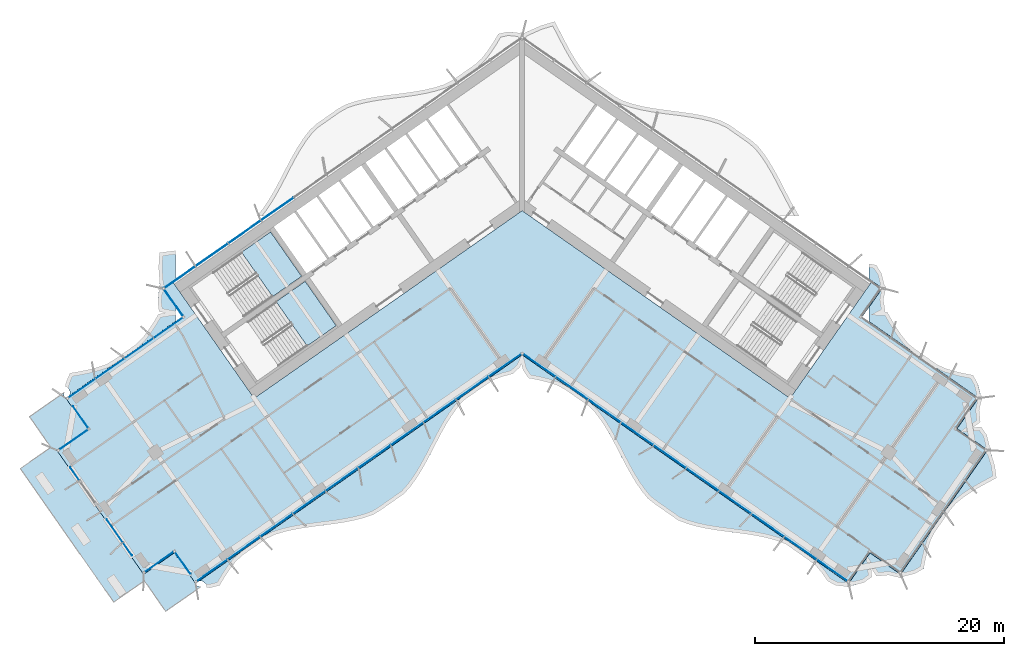
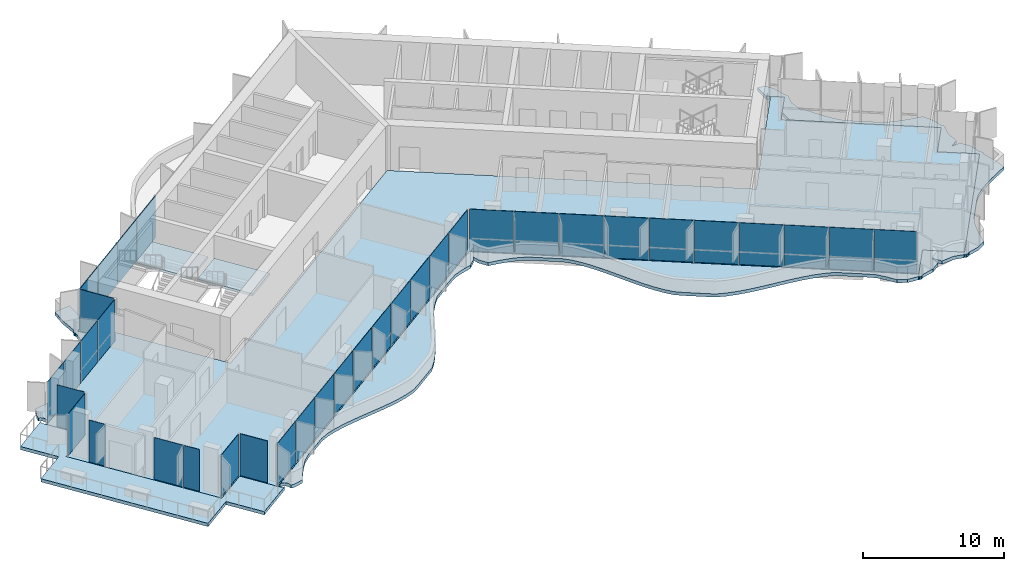
# One storey, part 12 of 24: 36 plates, 6 slabs, 5 elements without a shape of their own.
"""IFC4 building model written with IfcOpenShell, lengths in metres."""

from ifc_helpers import new_model, si_unit, direction, frame, origin, origin_2d, place, context, subcontext, project, spatial, polyline, rectangle, outline, extrude, material, layer, layer_set, type_object, element, aggregate, save


model = new_model("IFC4")

# Units and contexts
model_context = context("Model", 3, precision=1e-05, world=origin(), true_north=direction((0.0, 1.0)))
body_context = subcontext(model_context, "Body", "Model", "MODEL_VIEW")
ifc_project = project(units=[si_unit("LENGTHUNIT", "METRE"), si_unit("AREAUNIT", "SQUARE_METRE"), si_unit("VOLUMEUNIT", "CUBIC_METRE"), si_unit("PLANEANGLEUNIT", "RADIAN"), si_unit("MASSUNIT", "GRAM", prefix="KILO")], contexts=[model_context])

# Site, building, storey
site_placement = place(None, origin())
site = spatial("IfcSite", under=ifc_project, at=site_placement, CompositionType="ELEMENT")
building_placement = place(site_placement, origin())
building = spatial("IfcBuilding", under=site, at=building_placement, Name="Tel Ilan Convention Tower", CompositionType="ELEMENT")
storey_placement = place(building_placement, frame((0.0, 0.0, 167.10009765625)))
storey = spatial("IfcBuildingStorey", under=building, at=storey_placement, Name="L38", CompositionType="ELEMENT", Elevation=167.10009765625)

# Curtain wall, plates
ifc_material_1 = material(Name="Aluminium, bronze anodised", Category="aluminium")
curtain_wall_type_1 = type_object("IfcCurtainWallType", Name="CW4 STICK CURTAIN WALL, OFFICE TINTED GLASS", PredefinedType="NOTDEFINED", material=ifc_material_1)
curtain_wall_1_placement = place(storey_placement, origin())
curtain_wall_1 = element("IfcCurtainWall", 1, at=curtain_wall_1_placement, inside=storey, type_object=curtain_wall_type_1, Name="Curtain wall CW4-30.02", PredefinedType="NOTDEFINED")
ifc_material_2 = material(Name="Glass, bronze tinted, two-ply", Category="glass")
ifc_layer_1 = layer(ifc_material_2, 0.028076171875)
ifc_layer_set_1 = layer_set([ifc_layer_1], Name="CW GLASS PANEL 28")
plate_type_1 = type_object("IfcPlateType", Name="CW GLASS PANEL 28", PredefinedType="CURTAIN_PANEL", material=ifc_layer_set_1)
plate_1_placement = place(storey_placement, frame((-28.450927734375, -10.6435546875, -0.000244140625), z_axis=(0.0, 0.0, 1.0), x_axis=(-0.819152044289, -0.573576436351, 0.0)))
plate_1 = element("IfcPlate", 2, at=plate_1_placement, type_object=plate_type_1, Name="Glass panel", PredefinedType="CURTAIN_PANEL", context=body_context, shape_type="SweptSolid", body=[
    extrude(rectangle(XDim=2.819091796875, YDim=0.028076171875, at=origin_2d()), origin(), (0.0, 0.0, 1.0), 3.6201171875),
])
plate_2_placement = place(storey_placement, frame((-30.79736328125, -12.28662109375, -0.000244140625), z_axis=(0.0, 0.0, 1.0), x_axis=(-0.819152044289, -0.573576436351, 0.0)))
plate_2 = element("IfcPlate", 3, at=plate_2_placement, type_object=plate_type_1, Name="Glass panel", PredefinedType="CURTAIN_PANEL", context=body_context, shape_type="SweptSolid", body=[
    extrude(rectangle(XDim=2.7900390625, YDim=0.028076171875, at=origin_2d()), origin(), (0.0, 0.0, 1.0), 3.6201171875),
])
plate_3_placement = place(storey_placement, frame((-33.1318359375, -13.92138671875, -0.000244140625), z_axis=(0.0, 0.0, 1.0), x_axis=(-0.819152044289, -0.573576436351, 0.0)))
plate_3 = element("IfcPlate", 4, at=plate_3_placement, type_object=plate_type_1, Name="Glass panel", PredefinedType="CURTAIN_PANEL", context=body_context, shape_type="SweptSolid", body=[
    extrude(rectangle(XDim=2.7900390625, YDim=0.028076171875, at=origin_2d()), origin(), (0.0, 0.0, 1.0), 3.6201171875),
])
plate_4_placement = place(storey_placement, frame((-35.427978515625, -15.529052734375, -0.000244140625), z_axis=(0.0, 0.0, 1.0), x_axis=(-0.819152044289, -0.573576436351, 0.0)))
plate_4 = element("IfcPlate", 5, at=plate_4_placement, type_object=plate_type_1, Name="Glass panel", PredefinedType="CURTAIN_PANEL", context=body_context, shape_type="SweptSolid", body=[
    extrude(rectangle(XDim=2.696044921875, YDim=0.028076171875, at=origin_2d()), origin(), (0.0, 0.0, 1.0), 3.6201171875),
])
plate_5_placement = place(storey_placement, frame((-35.497802734375, -17.8212890625, -0.000244140625), z_axis=(0.0, 0.0, 1.0), x_axis=(0.573576436351, -0.819152044289, 0.0)))
plate_5 = element("IfcPlate", 6, at=plate_5_placement, type_object=plate_type_1, Name="Glass panel", PredefinedType="CURTAIN_PANEL", context=body_context, shape_type="SweptSolid", body=[
    extrude(rectangle(XDim=2.123046875, YDim=0.028076171875, at=origin_2d()), origin(), (0.0, 0.0, 1.0), 3.6201171875),
])
plate_6_placement = place(storey_placement, frame((-36.09130859375, -19.656005859375, -0.000244140625), z_axis=(0.0, 0.0, 1.0), x_axis=(-0.819152044289, -0.573576436351, 0.0)))
plate_6 = element("IfcPlate", 7, at=plate_6_placement, type_object=plate_type_1, Name="Glass panel", PredefinedType="CURTAIN_PANEL", context=body_context, shape_type="SweptSolid", body=[
    extrude(rectangle(XDim=2.875, YDim=0.028076171875, at=origin_2d()), origin(), (0.0, 0.0, 1.0), 3.6201171875),
])
plate_7_placement = place(storey_placement, frame((-35.970458984375, -22.376708984375, -0.000244140625), z_axis=(0.0, 0.0, 1.0), x_axis=(0.573576436351, -0.819152044289, 0.0)))
plate_7 = element("IfcPlate", 8, at=plate_7_placement, type_object=plate_type_1, Name="Glass panel", PredefinedType="CURTAIN_PANEL", context=body_context, shape_type="SweptSolid", body=[
    extrude(rectangle(XDim=1.243896484375, YDim=0.028076171875, at=origin_2d()), origin(), (0.0, 0.0, 1.0), 3.6201171875),
])
aggregate(curtain_wall_1, [plate_1, plate_2, plate_3, plate_4, plate_5, plate_6, plate_7])

curtain_wall_2_placement = place(storey_placement, origin())
curtain_wall_2 = element("IfcCurtainWall", 9, at=curtain_wall_2_placement, inside=storey, type_object=curtain_wall_type_1, Name="Curtain wall CW4-30.04", PredefinedType="NOTDEFINED")
plate_8_placement = place(storey_placement, frame((-32.758544921875, -26.9638671875, -0.000244140625), z_axis=(0.0, 0.0, 1.0), x_axis=(0.573576436351, -0.819152044289, 0.0)))
plate_8 = element("IfcPlate", 10, at=plate_8_placement, type_object=plate_type_1, Name="Glass panel", PredefinedType="CURTAIN_PANEL", context=body_context, shape_type="SweptSolid", body=[
    extrude(rectangle(XDim=2.243896484375, YDim=0.028076171875, at=origin_2d()), origin(), (0.0, 0.0, 1.0), 3.6201171875),
])
plate_9_placement = place(storey_placement, frame((-31.7236328125, -28.441650390625, -0.000244140625), z_axis=(0.0, 0.0, 1.0), x_axis=(0.573576436351, -0.819152044289, 0.0)))
plate_9 = element("IfcPlate", 11, at=plate_9_placement, type_object=plate_type_1, Name="Glass panel", PredefinedType="CURTAIN_PANEL", context=body_context, shape_type="SweptSolid", body=[
    extrude(rectangle(XDim=1.243896484375, YDim=0.028076171875, at=origin_2d()), origin(), (0.0, 0.0, 1.0), 3.6201171875),
])
plate_10_placement = place(storey_placement, frame((-29.20849609375, -29.48583984375, -0.000244140625), z_axis=(0.0, 0.0, 1.0), x_axis=(0.819152044289, 0.573576436351, 0.0)))
plate_10 = element("IfcPlate", 12, at=plate_10_placement, type_object=plate_type_1, Name="Glass panel", PredefinedType="CURTAIN_PANEL", context=body_context, shape_type="SweptSolid", body=[
    extrude(rectangle(XDim=2.875, YDim=0.028076171875, at=origin_2d()), origin(), (0.0, 0.0, 1.0), 3.6201171875),
])
plate_11_placement = place(storey_placement, frame((-27.281494140625, -29.5556640625, -0.000244140625), z_axis=(0.0, 0.0, 1.0), x_axis=(0.573576436351, -0.819152044289, 0.0)))
plate_11 = element("IfcPlate", 13, at=plate_11_placement, type_object=plate_type_1, Name="Glass panel", PredefinedType="CURTAIN_PANEL", context=body_context, shape_type="SweptSolid", body=[
    extrude(rectangle(XDim=2.123046875, YDim=0.028076171875, at=origin_2d()), origin(), (0.0, 0.0, 1.0), 3.6201171875),
])
plate_12_placement = place(storey_placement, frame((-24.958251953125, -30.172119140625, -0.000244140625), z_axis=(0.0, 0.0, 1.0), x_axis=(0.819152044289, 0.573576436351, 0.0)))
plate_12 = element("IfcPlate", 14, at=plate_12_placement, type_object=plate_type_1, Name="Glass panel", PredefinedType="CURTAIN_PANEL", context=body_context, shape_type="SweptSolid", body=[
    extrude(rectangle(XDim=3.05078125, YDim=0.028076171875, at=origin_2d()), origin(), (0.0, 0.0, 1.0), 3.6201171875),
])
plate_13_placement = place(storey_placement, frame((-22.37158203125, -28.36083984375, -0.000244140625), z_axis=(0.0, 0.0, 1.0), x_axis=(0.819152044289, 0.573576436351, 0.0)))
plate_13 = element("IfcPlate", 15, at=plate_13_placement, type_object=plate_type_1, Name="Glass panel", PredefinedType="CURTAIN_PANEL", context=body_context, shape_type="SweptSolid", body=[
    extrude(rectangle(XDim=3.144775390625, YDim=0.028076171875, at=origin_2d()), origin(), (0.0, 0.0, 1.0), 3.6201171875),
])
plate_14_placement = place(storey_placement, frame((-19.746337890625, -26.522705078125, -0.000244140625), z_axis=(0.0, 0.0, 1.0), x_axis=(0.819152044289, 0.573576436351, 0.0)))
plate_14 = element("IfcPlate", 16, at=plate_14_placement, type_object=plate_type_1, Name="Glass panel", PredefinedType="CURTAIN_PANEL", context=body_context, shape_type="SweptSolid", body=[
    extrude(rectangle(XDim=3.144775390625, YDim=0.028076171875, at=origin_2d()), origin(), (0.0, 0.0, 1.0), 3.6201171875),
])
plate_15_placement = place(storey_placement, frame((-17.12109375, -24.684326171875, -0.000244140625), z_axis=(0.0, 0.0, 1.0), x_axis=(0.819152044289, 0.573576436351, 0.0)))
plate_15 = element("IfcPlate", 17, at=plate_15_placement, type_object=plate_type_1, Name="Glass panel", PredefinedType="CURTAIN_PANEL", context=body_context, shape_type="SweptSolid", body=[
    extrude(rectangle(XDim=3.144775390625, YDim=0.028076171875, at=origin_2d()), origin(), (0.0, 0.0, 1.0), 3.6201171875),
])
plate_16_placement = place(storey_placement, frame((-14.49609375, -22.84619140625, -0.000244140625), z_axis=(0.0, 0.0, 1.0), x_axis=(0.819152044289, 0.573576436351, 0.0)))
plate_16 = element("IfcPlate", 18, at=plate_16_placement, type_object=plate_type_1, Name="Glass panel", PredefinedType="CURTAIN_PANEL", context=body_context, shape_type="SweptSolid", body=[
    extrude(rectangle(XDim=3.144775390625, YDim=0.028076171875, at=origin_2d()), origin(), (0.0, 0.0, 1.0), 3.6201171875),
])
plate_17_placement = place(storey_placement, frame((-11.870849609375, -21.008056640625, -0.000244140625), z_axis=(0.0, 0.0, 1.0), x_axis=(0.819152044289, 0.573576436351, 0.0)))
plate_17 = element("IfcPlate", 19, at=plate_17_placement, type_object=plate_type_1, Name="Glass panel", PredefinedType="CURTAIN_PANEL", context=body_context, shape_type="SweptSolid", body=[
    extrude(rectangle(XDim=3.144775390625, YDim=0.028076171875, at=origin_2d()), origin(), (0.0, 0.0, 1.0), 3.6201171875),
])
plate_18_placement = place(storey_placement, frame((-9.24560546875, -19.169921875, -0.000244140625), z_axis=(0.0, 0.0, 1.0), x_axis=(0.819152044289, 0.573576436351, 0.0)))
plate_18 = element("IfcPlate", 20, at=plate_18_placement, type_object=plate_type_1, Name="Glass panel", PredefinedType="CURTAIN_PANEL", context=body_context, shape_type="SweptSolid", body=[
    extrude(rectangle(XDim=3.144775390625, YDim=0.028076171875, at=origin_2d()), origin(), (0.0, 0.0, 1.0), 3.6201171875),
])
plate_19_placement = place(storey_placement, frame((-6.620361328125, -17.331787109375, -0.000244140625), z_axis=(0.0, 0.0, 1.0), x_axis=(0.819152044289, 0.573576436351, 0.0)))
plate_19 = element("IfcPlate", 21, at=plate_19_placement, type_object=plate_type_1, Name="Glass panel", PredefinedType="CURTAIN_PANEL", context=body_context, shape_type="SweptSolid", body=[
    extrude(rectangle(XDim=3.144775390625, YDim=0.028076171875, at=origin_2d()), origin(), (0.0, 0.0, 1.0), 3.6201171875),
])
plate_20_placement = place(storey_placement, frame((-3.9951171875, -15.493408203125, -0.000244140625), z_axis=(0.0, 0.0, 1.0), x_axis=(0.819152044289, 0.573576436351, 0.0)))
plate_20 = element("IfcPlate", 22, at=plate_20_placement, type_object=plate_type_1, Name="Glass panel", PredefinedType="CURTAIN_PANEL", context=body_context, shape_type="SweptSolid", body=[
    extrude(rectangle(XDim=3.144775390625, YDim=0.028076171875, at=origin_2d()), origin(), (0.0, 0.0, 1.0), 3.6201171875),
])
plate_21_placement = place(storey_placement, frame((-1.370361328125, -13.655517578125, -0.000244140625), z_axis=(0.0, 0.0, 1.0), x_axis=(0.819152044289, 0.573576436351, 0.0)))
plate_21 = element("IfcPlate", 23, at=plate_21_placement, type_object=plate_type_1, Name="Glass panel", PredefinedType="CURTAIN_PANEL", context=body_context, shape_type="SweptSolid", body=[
    extrude(rectangle(XDim=3.143798828125, YDim=0.028076171875, at=origin_2d()), origin(), (0.0, 0.0, 1.0), 3.6201171875),
])
plate_22_placement = place(storey_placement, frame((1.3818359375, -13.66357421875, -0.000244140625), z_axis=(0.0, 0.0, 1.0), x_axis=(0.819152044289, -0.573576436351, 0.0)))
plate_22 = element("IfcPlate", 24, at=plate_22_placement, type_object=plate_type_1, Name="Glass panel", PredefinedType="CURTAIN_PANEL", context=body_context, shape_type="SweptSolid", body=[
    extrude(rectangle(XDim=3.11572265625, YDim=0.028076171875, at=origin_2d()), origin(), (0.0, 0.0, 1.0), 3.6201171875),
])
plate_23_placement = place(storey_placement, frame((3.9951171875, -15.493408203125, -0.000244140625), z_axis=(0.0, 0.0, 1.0), x_axis=(0.819152044289, -0.573576436351, 0.0)))
plate_23 = element("IfcPlate", 25, at=plate_23_placement, type_object=plate_type_1, Name="Glass panel", PredefinedType="CURTAIN_PANEL", context=body_context, shape_type="SweptSolid", body=[
    extrude(rectangle(XDim=3.144775390625, YDim=0.028076171875, at=origin_2d()), origin(), (0.0, 0.0, 1.0), 3.6201171875),
])
plate_24_placement = place(storey_placement, frame((6.620361328125, -17.331787109375, -0.000244140625), z_axis=(0.0, 0.0, 1.0), x_axis=(0.819152044289, -0.573576436351, 0.0)))
plate_24 = element("IfcPlate", 26, at=plate_24_placement, type_object=plate_type_1, Name="Glass panel", PredefinedType="CURTAIN_PANEL", context=body_context, shape_type="SweptSolid", body=[
    extrude(rectangle(XDim=3.144775390625, YDim=0.028076171875, at=origin_2d()), origin(), (0.0, 0.0, 1.0), 3.6201171875),
])
plate_25_placement = place(storey_placement, frame((9.24560546875, -19.169921875, -0.000244140625), z_axis=(0.0, 0.0, 1.0), x_axis=(0.819152044289, -0.573576436351, 0.0)))
plate_25 = element("IfcPlate", 27, at=plate_25_placement, type_object=plate_type_1, Name="Glass panel", PredefinedType="CURTAIN_PANEL", context=body_context, shape_type="SweptSolid", body=[
    extrude(rectangle(XDim=3.144775390625, YDim=0.028076171875, at=origin_2d()), origin(), (0.0, 0.0, 1.0), 3.6201171875),
])
plate_26_placement = place(storey_placement, frame((11.870849609375, -21.008056640625, -0.000244140625), z_axis=(0.0, 0.0, 1.0), x_axis=(0.819152044289, -0.573576436351, 0.0)))
plate_26 = element("IfcPlate", 28, at=plate_26_placement, type_object=plate_type_1, Name="Glass panel", PredefinedType="CURTAIN_PANEL", context=body_context, shape_type="SweptSolid", body=[
    extrude(rectangle(XDim=3.144775390625, YDim=0.028076171875, at=origin_2d()), origin(), (0.0, 0.0, 1.0), 3.6201171875),
])
plate_27_placement = place(storey_placement, frame((14.49609375, -22.84619140625, -0.000244140625), z_axis=(0.0, 0.0, 1.0), x_axis=(0.819152044289, -0.573576436351, 0.0)))
plate_27 = element("IfcPlate", 29, at=plate_27_placement, type_object=plate_type_1, Name="Glass panel", PredefinedType="CURTAIN_PANEL", context=body_context, shape_type="SweptSolid", body=[
    extrude(rectangle(XDim=3.144775390625, YDim=0.028076171875, at=origin_2d()), origin(), (0.0, 0.0, 1.0), 3.6201171875),
])
plate_28_placement = place(storey_placement, frame((17.12109375, -24.684326171875, -0.000244140625), z_axis=(0.0, 0.0, 1.0), x_axis=(0.819152044289, -0.573576436351, 0.0)))
plate_28 = element("IfcPlate", 30, at=plate_28_placement, type_object=plate_type_1, Name="Glass panel", PredefinedType="CURTAIN_PANEL", context=body_context, shape_type="SweptSolid", body=[
    extrude(rectangle(XDim=3.144775390625, YDim=0.028076171875, at=origin_2d()), origin(), (0.0, 0.0, 1.0), 3.6201171875),
])
plate_29_placement = place(storey_placement, frame((19.746337890625, -26.522705078125, -0.000244140625), z_axis=(0.0, 0.0, 1.0), x_axis=(0.819152044289, -0.573576436351, 0.0)))
plate_29 = element("IfcPlate", 31, at=plate_29_placement, type_object=plate_type_1, Name="Glass panel", PredefinedType="CURTAIN_PANEL", context=body_context, shape_type="SweptSolid", body=[
    extrude(rectangle(XDim=3.144775390625, YDim=0.028076171875, at=origin_2d()), origin(), (0.0, 0.0, 1.0), 3.6201171875),
])
plate_30_placement = place(storey_placement, frame((22.37158203125, -28.36083984375, -0.000244140625), z_axis=(0.0, 0.0, 1.0), x_axis=(0.819152044289, -0.573576436351, 0.0)))
plate_30 = element("IfcPlate", 32, at=plate_30_placement, type_object=plate_type_1, Name="Glass panel", PredefinedType="CURTAIN_PANEL", context=body_context, shape_type="SweptSolid", body=[
    extrude(rectangle(XDim=3.144775390625, YDim=0.028076171875, at=origin_2d()), origin(), (0.0, 0.0, 1.0), 3.6201171875),
])
plate_31_placement = place(storey_placement, frame((24.958251953125, -30.172119140625, -0.000244140625), z_axis=(0.0, 0.0, 1.0), x_axis=(0.819152044289, -0.573576436351, 0.0)))
plate_31 = element("IfcPlate", 33, at=plate_31_placement, type_object=plate_type_1, Name="Glass panel", PredefinedType="CURTAIN_PANEL", context=body_context, shape_type="SweptSolid", body=[
    extrude(rectangle(XDim=3.05078125, YDim=0.028076171875, at=origin_2d()), origin(), (0.0, 0.0, 1.0), 3.6201171875),
])
aggregate(curtain_wall_2, [plate_8, plate_9, plate_10, plate_11, plate_12, plate_13, plate_14, plate_15, plate_16, plate_17, plate_18, plate_19, plate_20, plate_21, plate_22, plate_23, plate_24, plate_25, plate_26, plate_27, plate_28, plate_29, plate_30, plate_31])

ifc_material_3 = material(Name="Aluminium, bronze anodised", Category="aluminium")
curtain_wall_type_2 = type_object("IfcCurtainWallType", Name="CW2 STICK CURTAIN WALL, SPANDREL PANELS", PredefinedType="NOTDEFINED", material=ifc_material_3)
curtain_wall_3_placement = place(storey_placement, origin())
curtain_wall_3 = element("IfcCurtainWall", 34, at=curtain_wall_3_placement, inside=storey, type_object=curtain_wall_type_2, Name="Curtain wall CW2-30.01", PredefinedType="NOTDEFINED")
ifc_material_4 = material(Name="Aluminium composite panel, bronze anodised", Category="aluminium")
ifc_layer_2 = layer(ifc_material_4, 0.06005859375)
ifc_layer_set_2 = layer_set([ifc_layer_2], Name="CW SPANDREL PANEL 60")
plate_type_2 = type_object("IfcPlateType", Name="CW SPANDREL PANEL 60", PredefinedType="CURTAIN_PANEL", material=ifc_layer_set_2)
plate_32_placement = place(storey_placement, frame((-19.687255859375, -1.089111328125, -0.000244140625), z_axis=(0.0, 0.0, 1.0), x_axis=(-0.819152044289, -0.573576436351, 0.0)))
plate_32 = element("IfcPlate", 35, at=plate_32_placement, type_object=plate_type_2, Name="Spandrel panel", PredefinedType="CURTAIN_PANEL", context=body_context, shape_type="SweptSolid", body=[
    extrude(rectangle(XDim=3.15380859375, YDim=0.06005859375, at=origin_2d()), origin(), (0.0, 0.0, 1.0), 3.6201171875),
])
plate_33_placement = place(storey_placement, frame((-22.31982421875, -2.9326171875, -0.000244140625), z_axis=(0.0, 0.0, 1.0), x_axis=(-0.819152044289, -0.573576436351, 0.0)))
plate_33 = element("IfcPlate", 36, at=plate_33_placement, type_object=plate_type_2, Name="Spandrel panel", PredefinedType="CURTAIN_PANEL", context=body_context, shape_type="SweptSolid", body=[
    extrude(rectangle(XDim=3.15380859375, YDim=0.06005859375, at=origin_2d()), origin(), (0.0, 0.0, 1.0), 3.6201171875),
])
plate_34_placement = place(storey_placement, frame((-24.95263671875, -4.77587890625, -0.000244140625), z_axis=(0.0, 0.0, 1.0), x_axis=(-0.819152044289, -0.573576436351, 0.0)))
plate_34 = element("IfcPlate", 37, at=plate_34_placement, type_object=plate_type_2, Name="Spandrel panel", PredefinedType="CURTAIN_PANEL", context=body_context, shape_type="SweptSolid", body=[
    extrude(rectangle(XDim=3.15380859375, YDim=0.06005859375, at=origin_2d()), origin(), (0.0, 0.0, 1.0), 3.6201171875),
])
plate_35_placement = place(storey_placement, frame((-27.5400390625, -6.587646484375, -0.000244140625), z_axis=(0.0, 0.0, 1.0), x_axis=(-0.819152044289, -0.573576436351, 0.0)))
plate_35 = element("IfcPlate", 38, at=plate_35_placement, type_object=plate_type_2, Name="Spandrel panel", PredefinedType="CURTAIN_PANEL", context=body_context, shape_type="SweptSolid", body=[
    extrude(rectangle(XDim=3.0439453125, YDim=0.06005859375, at=origin_2d()), origin(), (0.0, 0.0, 1.0), 3.6201171875),
])
plate_36_placement = place(storey_placement, frame((-28.033935546875, -8.60546875, -0.000244140625), z_axis=(0.0, 0.0, 1.0), x_axis=(0.573576436351, -0.819152044289, 0.0)))
plate_36 = element("IfcPlate", 39, at=plate_36_placement, type_object=plate_type_2, Name="Spandrel panel", PredefinedType="CURTAIN_PANEL", context=body_context, shape_type="SweptSolid", body=[
    extrude(rectangle(XDim=2.658935546875, YDim=0.06005859375, at=origin_2d()), origin(), (0.0, 0.0, 1.0), 3.6201171875),
])
aggregate(curtain_wall_3, [plate_32, plate_33, plate_34, plate_35, plate_36])

# Stair, slab
ifc_material_5 = material(Name="Concrete C40/50", Category="concrete")
stair_type = type_object("IfcStairType", Name="Pressurised Exit Stair 22 risers 177 mm", PredefinedType="HALF_TURN_STAIR", material=ifc_material_5)
stair_1_placement = place(storey_placement, origin())
stair_1 = element("IfcStair", 40, at=stair_1_placement, inside=storey, type_object=stair_type, Name="L38 Pressurised Stair S1", PredefinedType="HALF_TURN_STAIR")
ifc_material_6 = material(Name="Concrete C40/50", Category="concrete")
ifc_layer_3 = layer(ifc_material_6, 0.199951171875)
ifc_layer_set_3 = layer_set([ifc_layer_3], Name="Concrete Stair Landing 200 mm C40/50")
slab_type_1 = type_object("IfcSlabType", Name="Concrete Stair Landing 200 mm", PredefinedType="LANDING", material=ifc_layer_set_3)
slab_1_placement = place(storey_placement, frame((0.0, 0.0, 1.75)))
slab_1 = element("IfcSlab", 41, at=slab_1_placement, type_object=slab_type_1, Name="S1 landing 1", PredefinedType="LANDING", context=body_context, shape_type="SweptSolid", body=[
    extrude(outline(polyline([(-20.066650390625, -8.130126953125), (-17.7314453125, -6.494873046875), (-20.226318359375, -2.931640625), (-22.561767578125, -4.566650390625), (-20.066650390625, -8.130126953125)])), origin(), (0.0, 0.0, 1.0), 0.199951171875),
])
aggregate(stair_1, [slab_1])

stair_2_placement = place(storey_placement, origin())
stair_2 = element("IfcStair", 42, at=stair_2_placement, inside=storey, type_object=stair_type, Name="L38 Pressurised Stair S2", PredefinedType="HALF_TURN_STAIR")
slab_2_placement = place(storey_placement, frame((0.0, 0.0, 1.75)))
slab_2 = element("IfcSlab", 43, at=slab_2_placement, type_object=slab_type_1, Name="S2 landing 1", PredefinedType="LANDING", context=body_context, shape_type="SweptSolid", body=[
    extrude(outline(polyline([(-17.28466796875, -12.10302734375), (-14.949462890625, -10.4677734375), (-17.444580078125, -6.904541015625), (-19.77978515625, -8.53955078125), (-17.28466796875, -12.10302734375)])), origin(), (0.0, 0.0, 1.0), 0.199951171875),
])
aggregate(stair_2, [slab_2])

# Slabs
ifc_material_7 = material(Name="Concrete C40/50", Category="concrete")
ifc_layer_4 = layer(ifc_material_7, 0.280029296875)
ifc_layer_set_4 = layer_set([ifc_layer_4], Name="Edge Ledge Slab 280 mm C40/50")
slab_type_2 = type_object("IfcSlabType", Name="Edge Ledge Slab 280 mm C40/50", PredefinedType="FLOOR", material=ifc_layer_set_4)
slab_3_placement = place(storey_placement, frame((0.0, 0.0, -0.280029296875)))
element("IfcSlab", 44, at=slab_3_placement, inside=storey, type_object=slab_type_2, Name="L38 edge ledge 1", PredefinedType="FLOOR", context=body_context, shape_type="SweptSolid", body=[
    extrude(outline(polyline([(26.251953125, -31.199951171875), (27.972900390625, -28.74267578125), (30.43017578125, -30.46337890625), (37.427978515625, -20.469482421875), (34.970458984375, -18.748779296875), (36.691162109375, -16.29150390625), (27.875, -10.1181640625), (27.875, -9.007080078125), (28.958740234375, -7.458984375), (27.875, -6.7001953125), (27.875, -5.485595703125), (28.465576171875, -5.595458984375), (28.894287109375, -6.267333984375), (29.130859375, -7.21337890625), (29.127685546875, -7.218017578125), (29.1708984375, -7.246826171875), (29.236083984375, -7.34423828125), (29.2587890625, -7.458984375), (29.236083984375, -7.57373046875), (29.199951171875, -7.6279296875), (29.20458984375, -7.631103515625), (29.044921875, -8.373779296875), (29.194091796875, -9.332763671875), (29.132080078125, -9.36474609375), (29.356201171875, -9.3759765625), (29.74560546875, -10.06201171875), (30.151123046875, -10.72509765625), (30.5849609375, -11.347900390625), (31.052978515625, -11.92138671875), (31.6103515625, -12.36767578125), (33.361328125, -13.59375), (34.017333984375, -13.899169921875), (34.732421875, -14.1201171875), (35.47900390625, -14.2958984375), (36.246826171875, -14.44140625), (36.63134765625, -15.134521484375), (36.86328125, -16.045654296875), (36.85986328125, -16.05029296875), (36.9033203125, -16.079345703125), (36.96826171875, -16.176513671875), (36.9912109375, -16.29150390625), (36.96826171875, -16.40625), (36.93212890625, -16.460205078125), (36.93701171875, -16.46337890625), (36.748779296875, -17.24755859375), (36.839599609375, -18.2265625), (36.20458984375, -18.665283203125), (36.905517578125, -18.6005859375), (37.3603515625, -19.258544921875), (37.599853515625, -20.223876953125), (37.5966796875, -20.228515625), (37.639892578125, -20.257568359375), (37.705078125, -20.354736328125), (37.727783203125, -20.469482421875), (37.705078125, -20.58447265625), (37.6689453125, -20.638427734375), (37.673583984375, -20.6416015625), (38.010498046875, -21.753662109375), (38.13427734375, -22.71630859375), (37.423828125, -23.09521484375), (36.7236328125, -23.48095703125), (36.052734375, -23.88720703125), (35.421630859375, -24.3212890625), (34.83984375, -24.7900390625), (34.380615234375, -25.344482421875), (33.145751953125, -27.108154296875), (32.83154296875, -27.764404296875), (32.607177734375, -28.4833984375), (32.42919921875, -29.234619140625), (32.28369140625, -30.0087890625), (31.594482421875, -30.402587890625), (30.676025390625, -30.635498046875), (30.67138671875, -30.632080078125), (30.642333984375, -30.67529296875), (30.544921875, -30.740478515625), (30.43017578125, -30.76318359375), (30.3154296875, -30.740478515625), (30.261474609375, -30.704345703125), (30.25830078125, -30.708984375), (29.47412109375, -30.52099609375), (28.4951171875, -30.61181640625), (28.056396484375, -29.976806640625), (28.12109375, -30.677490234375), (27.463134765625, -31.132568359375), (26.497802734375, -31.3720703125), (26.4931640625, -31.368896484375), (26.464111328125, -31.412109375), (26.36669921875, -31.477294921875), (26.251953125, -31.5), (26.13720703125, -31.477294921875), (26.083251953125, -31.441162109375), (26.080078125, -31.44580078125), (25.2314453125, -31.358154296875), (24.565673828125, -31.009765625), (24.111328125, -30.35888671875), (23.619384765625, -29.76220703125), (23.02734375, -29.308349609375), (21.19580078125, -28.02587890625), (20.475830078125, -27.7548828125), (19.716064453125, -27.540283203125), (18.924072265625, -27.372314453125), (18.10791015625, -27.23828125), (17.27685546875, -27.1259765625), (16.44091796875, -27.0205078125), (15.610107421875, -26.9072265625), (14.794677734375, -26.7724609375), (14.003662109375, -26.602783203125), (13.245361328125, -26.386474609375), (12.530029296875, -26.108642578125), (10.698486328125, -24.826171875), (10.110107421875, -24.3671875), (9.61962890625, -23.768310546875), (9.166748046875, -23.115478515625), (8.744384765625, -22.41943359375), (8.343994140625, -21.69189453125), (7.956298828125, -20.9462890625), (7.57080078125, -20.197509765625), (7.177490234375, -19.45947265625), (6.76708984375, -18.74658203125), (6.329833984375, -18.071533203125), (5.8583984375, -17.445556640625), (5.322509765625, -16.9111328125), (3.490966796875, -15.62890625), (2.833251953125, -15.268798828125), (2.093017578125, -15.0263671875), (1.31689453125, -14.835693359375), (0.51220703125, -14.685546875), (0.06640625, -14.0224609375), (-0.055419921875, -13.53271484375), (-0.200439453125, -13.831298828125), (-0.755615234375, -14.337890625), (-1.5224609375, -14.5419921875), (-2.251708984375, -14.800048828125), (-2.880615234375, -15.201416015625), (-4.7119140625, -16.48388671875), (-5.212890625, -17.067626953125), (-5.67431640625, -17.708251953125), (-6.103271484375, -18.39501953125), (-6.508056640625, -19.1162109375), (-6.898193359375, -19.858642578125), (-7.283203125, -20.608154296875), (-7.673583984375, -21.35009765625), (-8.0791015625, -22.0703125), (-8.509033203125, -22.755615234375), (-8.9716796875, -23.39404296875), (-9.4775390625, -23.97119140625), (-11.30908203125, -25.253662109375), (-11.941650390625, -25.649658203125), (-12.672119140625, -25.90576171875), (-13.4404296875, -26.10791015625), (-14.239013671875, -26.266845703125), (-15.059814453125, -26.394287109375), (-15.892822265625, -26.503662109375), (-16.728515625, -26.609619140625), (-17.556396484375, -26.726806640625), (-18.36669921875, -26.86865234375), (-19.150634765625, -27.048583984375), (-19.900146484375, -27.277587890625), (-20.58544921875, -27.598388671875), (-22.4169921875, -28.880859375), (-22.980224609375, -29.375732421875), (-23.4609375, -29.98828125), (-23.90576171875, -30.652587890625), (-24.322021484375, -31.357421875), (-25.097412109375, -31.54931640625), (-25.37890625, -31.519775390625), (-25.377685546875, -31.476318359375), (-25.38134765625, -31.427490234375), (-25.389404296875, -31.37890625), (-25.402587890625, -31.331787109375), (-25.419921875, -31.285888671875), (-25.44189453125, -31.241943359375), (-25.468017578125, -31.200439453125), (-25.498291015625, -31.16162109375), (-25.531982421875, -31.1259765625), (-25.569091796875, -31.093994140625), (-25.60888671875, -31.0654296875), (-25.651611328125, -31.041259765625), (-25.6962890625, -31.021240234375), (-25.742919921875, -31.005615234375), (-25.790771484375, -30.994873046875), (-25.839599609375, -30.98876953125), (-25.888671875, -30.9873046875), (-25.955078125, -30.9921875), (0.0, -12.818115234375), (26.251953125, -31.199951171875)])), origin(), (0.0, 0.0, 1.0), 0.280029296875),
])
slab_4_placement = place(storey_placement, frame((0.0, 0.0, -0.280029296875)))
element("IfcSlab", 45, at=slab_4_placement, inside=storey, type_object=slab_type_2, Name="L38 edge ledge 3", PredefinedType="FLOOR", context=body_context, shape_type="SweptSolid", body=[
    extrude(outline(polyline([(-36.3505859375, -15.890869140625), (-36.349365234375, -15.841796875), (-36.352783203125, -15.79296875), (-36.361083984375, -15.744384765625), (-36.3740234375, -15.697265625), (-36.3916015625, -15.6513671875), (-36.413330078125, -15.607421875), (-36.439697265625, -15.56591796875), (-36.4697265625, -15.527099609375), (-36.50341796875, -15.49169921875), (-36.54052734375, -15.45947265625), (-36.58056640625, -15.430908203125), (-36.623046875, -15.40673828125), (-36.66796875, -15.38671875), (-36.714599609375, -15.37109375), (-36.741943359375, -15.364990234375), (-36.686767578125, -15.055419921875), (-36.35986328125, -14.280029296875), (-35.58203125, -14.148681640625), (-34.8203125, -13.994384765625), (-34.086669921875, -13.7998046875), (-33.387451171875, -13.55615234375), (-32.777587890625, -13.18505859375), (-31.026611328125, -11.958984375), (-30.515380859375, -11.447021484375), (-30.06298828125, -10.850830078125), (-29.642578125, -10.208984375), (-29.2431640625, -9.537353515625), (-28.64111328125, -9.44189453125), (-29.194091796875, -9.332763671875), (-29.29443359375, -8.548583984375), (-29.20458984375, -7.631103515625), (-29.199951171875, -7.6279296875), (-29.236083984375, -7.57373046875), (-29.2587890625, -7.458984375), (-29.236083984375, -7.34423828125), (-29.1708984375, -7.246826171875), (-29.127685546875, -7.218017578125), (-29.130859375, -7.21337890625), (-29.231689453125, -5.78515625), (-29.161865234375, -4.60107421875), (-28.33935546875, -4.49169921875), (-27.875, -4.4326171875), (-27.875, -6.7001953125), (-28.958740234375, -7.458984375), (-27.875, -9.007080078125), (-27.875, -10.1181640625), (-36.410400390625, -16.0947265625), (-36.383056640625, -16.033935546875), (-36.36767578125, -15.9873046875), (-36.356689453125, -15.939697265625), (-36.3505859375, -15.890869140625)])), origin(), (0.0, 0.0, 1.0), 0.280029296875),
])
ifc_material_8 = material(Name="Concrete C40/50", Category="concrete")
ifc_layer_5 = layer(ifc_material_8, 0.280029296875)
ifc_layer_set_5 = layer_set([ifc_layer_5], Name="Flat Plate Floor Slab 280 mm C40/50")
slab_type_3 = type_object("IfcSlabType", Name="Flat Plate Floor Slab 280 mm C40/50", PredefinedType="FLOOR", material=ifc_layer_set_5)
slab_5_placement = place(storey_placement, frame((0.0, 0.0, -0.280029296875)))
element("IfcSlab", 46, at=slab_5_placement, inside=storey, type_object=slab_type_3, Name="L38 floor slab", PredefinedType="FLOOR", context=body_context, shape_type="SweptSolid", body=[
    extrude(outline(polyline([(-27.972900390625, -28.74267578125), (-28.792236328125, -29.31640625), (-30.43017578125, -30.46337890625), (-33.11328125, -26.63134765625), (-37.427978515625, -20.469482421875), (-36.658447265625, -19.930908203125), (-34.970458984375, -18.748779296875), (-36.691162109375, -16.29150390625), (-27.352783203125, -9.752685546875), (-28.958740234375, -7.458984375), (-28.1396484375, -6.885498046875), (-21.54345703125, -16.3056640625), (0.0, -1.220703125), (21.54345703125, -16.3056640625), (28.1396484375, -6.885498046875), (28.958740234375, -7.458984375), (27.352783203125, -9.752685546875), (36.691162109375, -16.29150390625), (34.970458984375, -18.748779296875), (37.427978515625, -20.469482421875), (30.43017578125, -30.46337890625), (27.972900390625, -28.74267578125), (26.251953125, -31.199951171875), (0.0, -12.818115234375), (-26.251953125, -31.199951171875), (-27.972900390625, -28.74267578125), (-27.972900390625, -28.74267578125)])), origin(), (0.0, 0.0, 1.0), 0.280029296875),
])
ifc_material_9 = material(Name="Concrete C40/50", Category="concrete")
ifc_layer_6 = layer(ifc_material_9, 0.280029296875)
ifc_layer_set_6 = layer_set([ifc_layer_6], Name="Terrace Deck Slab 280 mm C40/50")
slab_type_4 = type_object("IfcSlabType", Name="Terrace Deck Slab 280 mm C40/50", PredefinedType="FLOOR", material=ifc_layer_set_6)
slab_6_placement = place(storey_placement, frame((0.0, 0.0, -0.280029296875)))
element("IfcSlab", 47, at=slab_6_placement, inside=storey, type_object=slab_type_4, Name="L38 terrace deck 1", PredefinedType="FLOOR", context=body_context, shape_type="SweptSolid", body=[
    extrude(outline(polyline([(-30.376953125, -30.975341796875), (-32.83447265625, -32.696044921875), (-40.34814453125, -21.965087890625), (-37.890869140625, -20.244384765625), (-39.611572265625, -17.786865234375), (-36.825927734375, -15.83642578125), (-36.86328125, -16.045654296875), (-34.970458984375, -18.748779296875), (-37.427978515625, -20.469482421875), (-30.43017578125, -30.46337890625), (-27.972900390625, -28.74267578125), (-26.080078125, -31.44580078125), (-25.852783203125, -31.4697265625), (-28.65625, -33.4326171875), (-30.376953125, -30.975341796875)])), origin(), (0.0, 0.0, 1.0), 0.280029296875),
])

save(model, "model.ifc")
